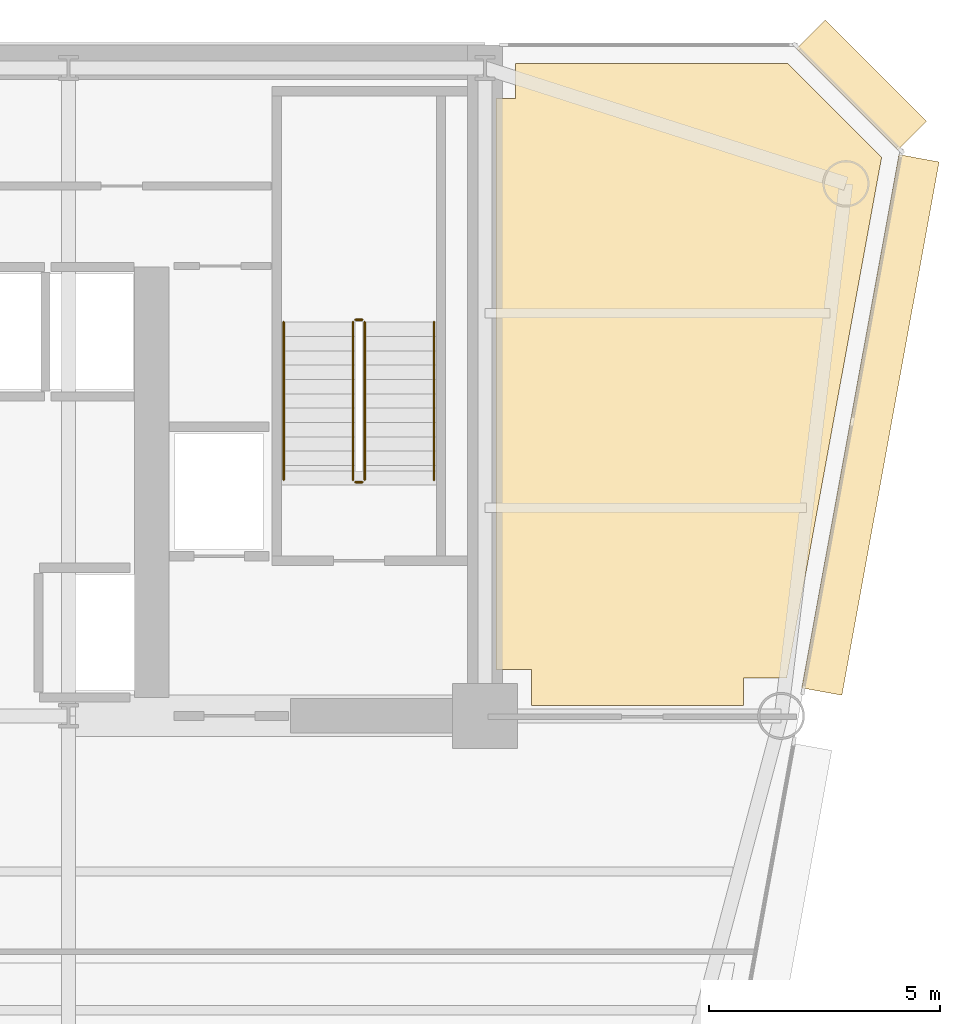
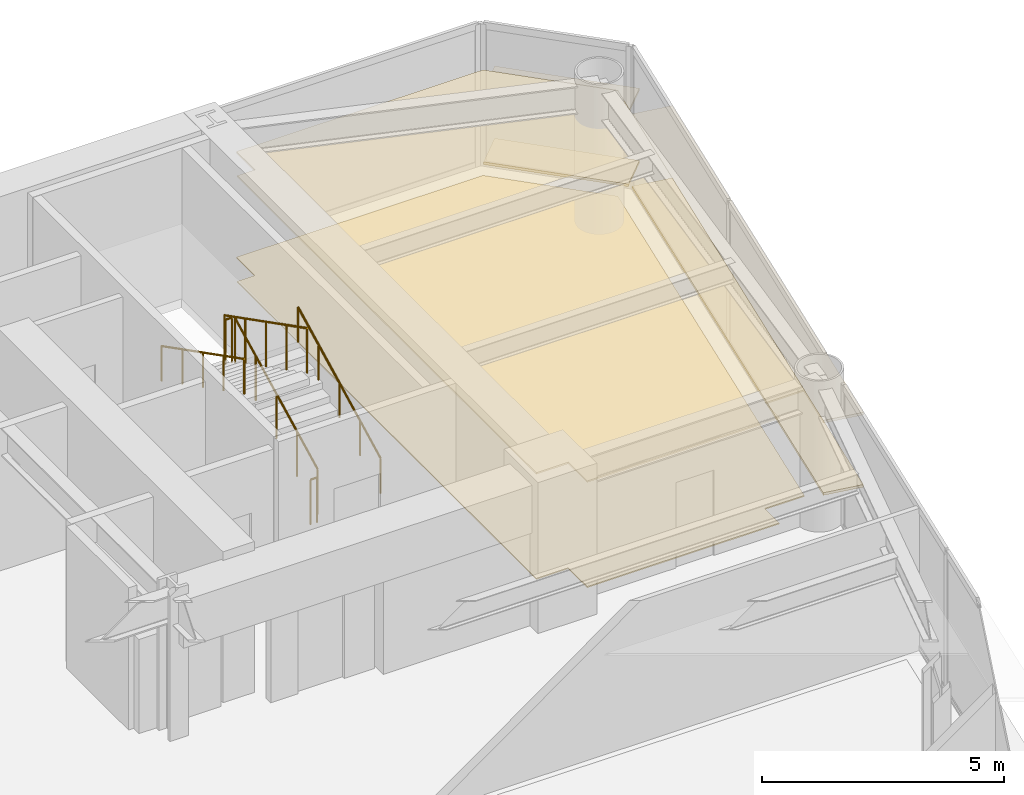
# One storey, part 14 of 14: 6 coverings, 6 railings.
"""IFC4 building model written with IfcOpenShell, lengths in metres."""

from ifc_helpers import new_model, si_unit, direction, frame, origin, origin_2d, place, context, subcontext, project, spatial, polyline, rectangle, circle, outline, extrude, source, transform, mapped, material, layer, layer_set, type_object, element, save


model = new_model("IFC4")

# Units and contexts
model_context = context("Model", 3, precision=1e-05, world=origin(), true_north=direction((0.0, 1.0)))
body_context = subcontext(model_context, "Body", "Model", "MODEL_VIEW")
ifc_project = project(units=[si_unit("LENGTHUNIT", "METRE"), si_unit("AREAUNIT", "SQUARE_METRE"), si_unit("VOLUMEUNIT", "CUBIC_METRE"), si_unit("PLANEANGLEUNIT", "RADIAN"), si_unit("MASSUNIT", "GRAM", prefix="KILO")], contexts=[model_context])

# Site, building, storey
site_placement = place(None, origin())
site = spatial("IfcSite", under=ifc_project, at=site_placement, CompositionType="ELEMENT")
building_placement = place(site_placement, origin())
building = spatial("IfcBuilding", under=site, at=building_placement, Name="Vaeldorn Concourse Tower", CompositionType="ELEMENT")
storey_placement = place(building_placement, frame((0.0, 0.0, 107.199951171875)))
storey = spatial("IfcBuildingStorey", under=building, at=storey_placement, Name="L27", CompositionType="ELEMENT", Elevation=107.199951171875)

# Coverings
ifc_material_1 = material(Name="Acoustic Mineral Fibre Board", Category="gypsum")
ifc_layer_1 = layer(ifc_material_1, 0.0400390625)
ifc_layer_set_1 = layer_set([ifc_layer_1], Name="Acoustic Mineral Fibre Board")
covering_type_1 = type_object("IfcCoveringType", Name="COV-CEIL-ACOUSTIC", PredefinedType="CEILING", material=ifc_layer_set_1)
covering_1_placement = place(storey_placement, frame((0.0, 0.0, 2.650146484375)))
element("IfcCovering", 1, at=covering_1_placement, inside=storey, type_object=covering_type_1, Name="Suspended Acoustic Ceiling L27-4", PredefinedType="CEILING", context=body_context, shape_type="SweptSolid", body=[
    extrude(outline(polyline([(54.659912109375, 49.840087890625), (54.659912109375, 50.60009765625), (60.5341796875, 50.60009765625), (62.56884765625, 48.5654296875), (60.519287109375, 37.320068359375), (59.580078125, 37.320068359375), (59.580078125, 36.719970703125), (55.0, 36.719970703125), (55.0, 37.5), (54.239990234375, 37.5), (54.239990234375, 49.840087890625), (54.659912109375, 49.840087890625)])), origin(), (0.0, 0.0, 1.0), 0.039794921875),
])
ifc_material_2 = material(Name="Honed Limestone Terrazzo Flooring", Category="masonry")
ifc_layer_2 = layer(ifc_material_2, 0.0400390625)
ifc_layer_set_2 = layer_set([ifc_layer_2], Name="Honed Limestone Terrazzo Flooring")
covering_type_2 = type_object("IfcCoveringType", Name="COV-FLOOR-STONE", PredefinedType="FLOORING", material=ifc_layer_set_2)
covering_2_placement = place(storey_placement, origin())
element("IfcCovering", 2, at=covering_2_placement, inside=storey, type_object=covering_type_2, Name="Floor Finish Covering L27-4", PredefinedType="FLOORING", context=body_context, shape_type="SweptSolid", body=[
    extrude(outline(polyline([(54.659912109375, 49.840087890625), (54.659912109375, 50.60009765625), (60.5341796875, 50.60009765625), (62.56884765625, 48.5654296875), (60.519287109375, 37.320068359375), (59.580078125, 37.320068359375), (59.580078125, 36.719970703125), (55.0, 36.719970703125), (55.0, 37.5), (54.239990234375, 37.5), (54.239990234375, 49.840087890625), (54.659912109375, 49.840087890625)])), origin(), (0.0, 0.0, 1.0), 0.030029296875),
])

# Railings
ifc_material_3 = material(Name="Anodised Bronze Aluminium", Category="aluminium")
railing_type_1 = type_object("IfcRailingType", Name="RL-STAIR-GUARD", PredefinedType="GUARDRAIL", material=ifc_material_3)
railing_1_placement = place(storey_placement, frame((51.39990234375, 41.60009765625, 0.158447265625)))
element("IfcRailing", 3, at=railing_1_placement, inside=storey, type_object=railing_type_1, Name="L27 ST-2 stair guard 1", PredefinedType="GUARDRAIL", context=body_context, shape_type="SweptSolid", body=[
    extrude(circle(Radius=0.02392578125, at=origin_2d()), frame((0.0, 0.0, 1.1259765625), z_axis=(0.0, 0.890555807335, 0.454873997962), x_axis=(-1.0, 0.0, 0.0)), (0.0, 0.0, 1.0), 3.828857421875),
    extrude(circle(Radius=0.02099609375, at=origin_2d()), origin(), (0.0, 0.0, 1.0), 1.101806640625),
    extrude(circle(Radius=0.02099609375, at=origin_2d()), frame((0.0, 0.8525390625, 0.435546875)), (0.0, 0.0, 1.0), 1.101806640625),
    extrude(circle(Radius=0.02099609375, at=origin_2d()), frame((0.0, 1.705078125, 0.870849609375)), (0.0, 0.0, 1.0), 1.101806640625),
    extrude(circle(Radius=0.02099609375, at=origin_2d()), frame((0.0, 2.557373046875, 1.30615234375)), (0.0, 0.0, 1.0), 1.101806640625),
    extrude(circle(Radius=0.02099609375, at=origin_2d()), frame((0.0, 3.409912109375, 1.74169921875)), (0.0, 0.0, 1.0), 1.101806640625),
])
railing_2_placement = place(storey_placement, frame((51.35009765625, 45.06005859375, 1.900146484375)))
element("IfcRailing", 4, at=railing_2_placement, inside=storey, type_object=railing_type_1, Name="L27 ST-2 stair guard 2", PredefinedType="GUARDRAIL", context=body_context, shape_type="SweptSolid", body=[
    extrude(circle(Radius=0.02392578125, at=origin_2d()), frame((0.0, 0.0, 1.1259765625), z_axis=(-1.0, 0.0, 0.0), x_axis=(0.0, -1.0, 0.0)), (0.0, 0.0, 1.0), 0.150146484375),
    extrude(circle(Radius=0.02099609375, at=origin_2d()), origin(), (0.0, 0.0, 1.0), 1.101806640625),
    extrude(circle(Radius=0.02099609375, at=origin_2d()), frame((-0.150146484375, 0.0, 0.0)), (0.0, 0.0, 1.0), 1.101806640625),
])
railing_3_placement = place(storey_placement, frame((51.14990234375, 45.010009765625, 2.058349609375)))
element("IfcRailing", 5, at=railing_3_placement, inside=storey, type_object=railing_type_1, Name="L27 ST-2 stair guard 3", PredefinedType="GUARDRAIL", context=body_context, shape_type="SweptSolid", body=[
    extrude(circle(Radius=0.02392578125, at=origin_2d()), frame((0.0, 0.0, 1.1259765625), z_axis=(0.0, -0.890555807335, 0.454873997962), x_axis=(1.0, 0.0, 0.0)), (0.0, 0.0, 1.0), 3.828857421875),
    extrude(circle(Radius=0.02099609375, at=origin_2d()), origin(), (0.0, 0.0, 1.0), 1.101806640625),
    extrude(circle(Radius=0.02099609375, at=origin_2d()), frame((0.0, -0.8525390625, 0.435546875)), (0.0, 0.0, 1.0), 1.101806640625),
    extrude(circle(Radius=0.02099609375, at=origin_2d()), frame((0.0, -1.705078125, 0.870849609375)), (0.0, 0.0, 1.0), 1.101806640625),
    extrude(circle(Radius=0.02099609375, at=origin_2d()), frame((0.0, -2.557373046875, 1.30615234375)), (0.0, 0.0, 1.0), 1.101806640625),
    extrude(circle(Radius=0.02099609375, at=origin_2d()), frame((0.0, -3.409912109375, 1.74169921875)), (0.0, 0.0, 1.0), 1.101806640625),
])
railing_4_placement = place(storey_placement, frame((51.35009765625, 41.550048828125, 0.0)))
element("IfcRailing", 6, at=railing_4_placement, inside=storey, type_object=railing_type_1, Name="L27 ST-2 stair guard 4", PredefinedType="GUARDRAIL", context=body_context, shape_type="SweptSolid", body=[
    extrude(circle(Radius=0.02392578125, at=origin_2d()), frame((0.0, 0.0, 1.1259765625), z_axis=(-1.0, 0.0, 0.0), x_axis=(0.0, -1.0, 0.0)), (0.0, 0.0, 1.0), 0.150146484375),
    extrude(circle(Radius=0.02099609375, at=origin_2d()), origin(), (0.0, 0.0, 1.0), 1.101806640625),
    extrude(circle(Radius=0.02099609375, at=origin_2d()), frame((-0.150146484375, 0.0, 0.0)), (0.0, 0.0, 1.0), 1.101806640625),
])
railing_type_2 = type_object("IfcRailingType", Name="RL-STAIR-HANDRAIL", PredefinedType="HANDRAIL", material=ifc_material_3)
railing_5_placement = place(storey_placement, frame((52.89990234375, 41.60009765625, 0.158447265625)))
element("IfcRailing", 7, at=railing_5_placement, inside=storey, type_object=railing_type_2, Name="L27 ST-2 stair handrail 1", PredefinedType="HANDRAIL", context=body_context, shape_type="SweptSolid", body=[
    extrude(circle(Radius=0.02392578125, at=origin_2d()), frame((0.0, 0.0, 0.8759765625), z_axis=(0.0, 0.890555807335, 0.454873997962), x_axis=(-1.0, 0.0, 0.0)), (0.0, 0.0, 1.0), 3.828857421875),
    extrude(circle(Radius=0.02099609375, at=origin_2d()), origin(), (0.0, 0.0, 1.0), 0.851806640625),
    extrude(circle(Radius=0.02099609375, at=origin_2d()), frame((0.0, 0.8525390625, 0.435546875)), (0.0, 0.0, 1.0), 0.851806640625),
    extrude(circle(Radius=0.02099609375, at=origin_2d()), frame((0.0, 1.705078125, 0.870849609375)), (0.0, 0.0, 1.0), 0.851806640625),
    extrude(circle(Radius=0.02099609375, at=origin_2d()), frame((0.0, 2.557373046875, 1.30615234375)), (0.0, 0.0, 1.0), 0.851806640625),
    extrude(circle(Radius=0.02099609375, at=origin_2d()), frame((0.0, 3.409912109375, 1.74169921875)), (0.0, 0.0, 1.0), 0.851806640625),
])
railing_6_placement = place(storey_placement, frame((49.64990234375, 45.010009765625, 2.058349609375)))
element("IfcRailing", 8, at=railing_6_placement, inside=storey, type_object=railing_type_2, Name="L27 ST-2 stair handrail 2", PredefinedType="HANDRAIL", context=body_context, shape_type="SweptSolid", body=[
    extrude(circle(Radius=0.02392578125, at=origin_2d()), frame((0.0, 0.0, 0.8759765625), z_axis=(0.0, -0.890555807335, 0.454873997962), x_axis=(1.0, 0.0, 0.0)), (0.0, 0.0, 1.0), 3.828857421875),
    extrude(circle(Radius=0.02099609375, at=origin_2d()), origin(), (0.0, 0.0, 1.0), 0.851806640625),
    extrude(circle(Radius=0.02099609375, at=origin_2d()), frame((0.0, -0.8525390625, 0.435546875)), (0.0, 0.0, 1.0), 0.851806640625),
    extrude(circle(Radius=0.02099609375, at=origin_2d()), frame((0.0, -1.705078125, 0.870849609375)), (0.0, 0.0, 1.0), 0.851806640625),
    extrude(circle(Radius=0.02099609375, at=origin_2d()), frame((0.0, -2.557373046875, 1.30615234375)), (0.0, 0.0, 1.0), 0.851806640625),
    extrude(circle(Radius=0.02099609375, at=origin_2d()), frame((0.0, -3.409912109375, 1.74169921875)), (0.0, 0.0, 1.0), 0.851806640625),
])

# Coverings
ifc_layer_3 = layer(ifc_material_3, 0.06494140625)
ifc_layer_set_3 = layer_set([ifc_layer_3], Name="Anodised Bronze Aluminium")
covering_type_3 = type_object("IfcCoveringType", Name="SD-BRONZE-SUNSHADE", PredefinedType="USERDEFINED", material=ifc_layer_set_3)
shared_shape_1 = source(origin(), body_context, "Body", "SweptSolid", [
    extrude(rectangle(XDim=3.0927734375, YDim=0.8798828125, at=origin_2d()), origin(), (0.0, 0.0, 1.0), 0.06494140625),
])
for number, where, z_axis, x_axis, name in (
    (9, (62.1328125, 50.1328125, 0.047607421875), (0.0, 0.0, 1.0), (-0.707106781187, 0.707106781187, 0.0), "Horizontal Bronze Sunshade L27-E08.1.1"),
    (10, (62.1328125, 50.1328125, 1.86767578125), (0.0, 0.0, 1.0), (-0.707106781187, 0.707106781187, 0.0), "Horizontal Bronze Sunshade L27-E08.1.2"),
):
    element("IfcCovering", number, at=place(storey_placement, frame(where, z_axis=z_axis, x_axis=x_axis)), inside=storey, type_object=covering_type_3, Name=name, ObjectType="SUNSHADE", PredefinedType="USERDEFINED", context=body_context, shape_type="MappedRepresentation", body=[
        mapped(shared_shape_1, transform((0.0, 0.0, 0.0), scale=1.0)),
    ])
shared_shape_2 = source(origin(), body_context, "Body", "SweptSolid", [
    extrude(rectangle(XDim=11.71435546875, YDim=0.8798828125, at=origin_2d()), origin(), (0.0, 0.0, 1.0), 0.06494140625),
])
for number, where, z_axis, x_axis, name in (
    (11, (62.3291015625, 42.787353515625, 0.047607421875), (0.0, 0.0, 1.0), (0.17930018116, 0.983794411976, 0.0), "Horizontal Bronze Sunshade L27-E07.2.1"),
    (12, (62.3291015625, 42.787353515625, 1.86767578125), (0.0, 0.0, 1.0), (0.17930018116, 0.983794411976, 0.0), "Horizontal Bronze Sunshade L27-E07.2.2"),
):
    element("IfcCovering", number, at=place(storey_placement, frame(where, z_axis=z_axis, x_axis=x_axis)), inside=storey, type_object=covering_type_3, Name=name, ObjectType="SUNSHADE", PredefinedType="USERDEFINED", context=body_context, shape_type="MappedRepresentation", body=[
        mapped(shared_shape_2, transform((0.0, 0.0, 0.0), scale=1.0)),
    ])

save(model, "model.ifc")
